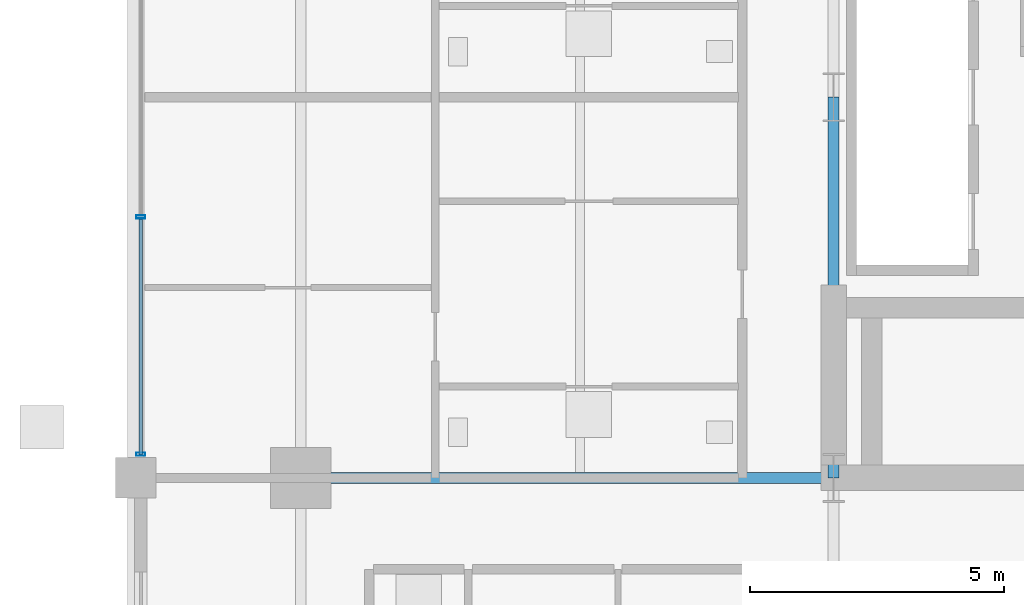
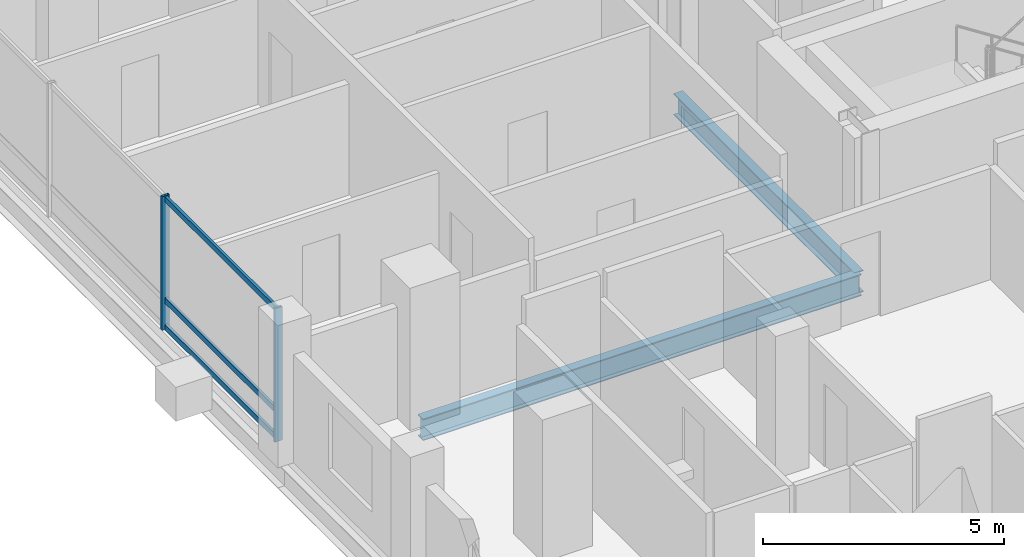
# One storey, part 4 of 20: 5 members, 2 beams, 1 element without a shape of its own.
"""IFC4 building model written with IfcOpenShell, lengths in metres."""

from ifc_helpers import new_model, si_unit, direction, frame, origin, origin_2d, place, context, subcontext, project, spatial, hollow_rectangle, i_section, extrude, material, layer, layer_set, material_profile, profile_set, type_object, element, aggregate, save


model = new_model("IFC4")

# Units and contexts
model_context = context("Model", 3, precision=1e-05, world=origin(), true_north=direction((0.0, 1.0)))
body_context = subcontext(model_context, "Body", "Model", "MODEL_VIEW")
ifc_project = project(units=[si_unit("LENGTHUNIT", "METRE"), si_unit("AREAUNIT", "SQUARE_METRE"), si_unit("VOLUMEUNIT", "CUBIC_METRE"), si_unit("PLANEANGLEUNIT", "RADIAN"), si_unit("MASSUNIT", "GRAM", prefix="KILO")], contexts=[model_context])

# Site, building, storey
site_placement = place(None, origin())
site = spatial("IfcSite", under=ifc_project, at=site_placement, CompositionType="ELEMENT")
building_placement = place(site_placement, origin())
building = spatial("IfcBuilding", under=site, at=building_placement, Name="Barlavira Tower and Art Museum", CompositionType="ELEMENT")
storey_placement = place(building_placement, frame((0.0, 0.0, 102.60009765625)))
storey = spatial("IfcBuildingStorey", under=building, at=storey_placement, Name="L25", CompositionType="ELEMENT", Elevation=102.60009765625)

# Curtain wall, members
ifc_material_1 = material(Name="Low-iron coastal laminated glass", Category="glass")
ifc_layer = layer(ifc_material_1, 0.18994140625, Name="Low-iron coastal laminated glass")
ifc_layer_set = layer_set([ifc_layer], Name="Low-iron coastal laminated glass")
curtain_wall_type = type_object("IfcCurtainWallType", Name="Pale-Metal Unitised Curtain Wall Zone 2", PredefinedType="NOTDEFINED", material=ifc_layer_set)
curtain_wall_placement = place(storey_placement, origin())
curtain_wall = element("IfcCurtainWall", 1, at=curtain_wall_placement, inside=storey, type_object=curtain_wall_type, Name="L25 Curtain Wall CW2-L25-W-B3", PredefinedType="NOTDEFINED")
ifc_material_2 = material(Name="Pale anodised aluminium", Category="aluminium")
ifc_material_profile_1 = material_profile(ifc_material_2, hollow_rectangle(XDim=0.06494140625, YDim=0.179931640625, WallThickness=0.00390625, at=origin_2d()), Name="ALU-MULL 65x180x4")
ifc_profile_set_1 = profile_set([ifc_material_profile_1], Name="Pale anodised aluminium")
member_type_1 = type_object("IfcMemberType", Name="Curtain Wall Pale-Metal Mullion 65x180", PredefinedType="MULLION", material=ifc_profile_set_1)
member_1_placement = place(storey_placement, frame((-20.14990234375, -2.360107421875, 0.0), z_axis=(0.0, 0.0, 1.0), x_axis=(0.0, -1.0, 0.0)))
member_1 = element("IfcMember", 2, at=member_1_placement, type_object=member_type_1, Name="CW2-L25-W-B3 Mullion 2", PredefinedType="MULLION", context=body_context, shape_type="SweptSolid", body=[
    extrude(hollow_rectangle(XDim=0.06494140625, YDim=0.179931640625, WallThickness=0.00390625, at=origin_2d()), origin(), (0.0, 0.0, 1.0), 3.3798828125),
])
member_2_placement = place(storey_placement, frame((-20.14990234375, -7.034912109375, 0.0), z_axis=(0.0, 0.0, 1.0), x_axis=(0.0, -1.0, 0.0)))
member_2 = element("IfcMember", 3, at=member_2_placement, type_object=member_type_1, Name="CW2-L25-W-B3 Mullion 3", PredefinedType="MULLION", context=body_context, shape_type="SweptSolid", body=[
    extrude(hollow_rectangle(XDim=0.06494140625, YDim=0.179931640625, WallThickness=0.00390625, at=origin_2d()), origin(), (0.0, 0.0, 1.0), 3.3798828125),
])
ifc_material_profile_2 = material_profile(ifc_material_2, hollow_rectangle(XDim=0.06494140625, YDim=0.139892578125, WallThickness=0.00390625, at=origin_2d()), Name="ALU-TRAN 65x140x4")
ifc_profile_set_2 = profile_set([ifc_material_profile_2], Name="Pale anodised aluminium")
member_type_2 = type_object("IfcMemberType", Name="Curtain Wall Pale-Metal Transom 65x140", PredefinedType="USERDEFINED", material=ifc_profile_set_2)
member_3_placement = place(storey_placement, frame((-20.14990234375, -2.405029296875, 0.06982421875), z_axis=(0.0, -1.0, 0.0), x_axis=(1.0, 0.0, 0.0)))
member_3 = element("IfcMember", 4, at=member_3_placement, type_object=member_type_2, Name="CW2-L25-W-B3 Transom 2.1", ObjectType="TRANSOM", PredefinedType="USERDEFINED", context=body_context, shape_type="SweptSolid", body=[
    extrude(hollow_rectangle(XDim=0.06494140625, YDim=0.139892578125, WallThickness=0.00390625, at=origin_2d()), origin(), (0.0, 0.0, 1.0), 4.6298828125),
])
member_4_placement = place(storey_placement, frame((-20.14990234375, -2.405029296875, 0.743896484375), z_axis=(0.0, -1.0, 0.0), x_axis=(1.0, 0.0, 0.0)))
member_4 = element("IfcMember", 5, at=member_4_placement, type_object=member_type_2, Name="CW2-L25-W-B3 Transom 2.2", ObjectType="TRANSOM", PredefinedType="USERDEFINED", context=body_context, shape_type="SweptSolid", body=[
    extrude(hollow_rectangle(XDim=0.06494140625, YDim=0.139892578125, WallThickness=0.00390625, at=origin_2d()), origin(), (0.0, 0.0, 1.0), 4.6298828125),
])
member_5_placement = place(storey_placement, frame((-20.14990234375, -2.405029296875, 3.309814453125), z_axis=(0.0, -1.0, 0.0), x_axis=(1.0, 0.0, 0.0)))
member_5 = element("IfcMember", 6, at=member_5_placement, type_object=member_type_2, Name="CW2-L25-W-B3 Transom 2.3", ObjectType="TRANSOM", PredefinedType="USERDEFINED", context=body_context, shape_type="SweptSolid", body=[
    extrude(hollow_rectangle(XDim=0.06494140625, YDim=0.139892578125, WallThickness=0.00390625, at=origin_2d()), origin(), (0.0, 0.0, 1.0), 4.6298828125),
])
aggregate(curtain_wall, [member_1, member_2, member_3, member_4, member_5])

# Beams
ifc_material_3 = material(Name="Steel S355", Category="steel")
ifc_material_profile_3 = material_profile(ifc_material_3, i_section(OverallWidth=0.214111328125, OverallDepth=0.549072265625, WebThickness=0.0146484375, FlangeThickness=0.023681640625, at=origin_2d()), Name="W530x138.0")
ifc_profile_set_3 = profile_set([ifc_material_profile_3], Name="Steel S355")
beam_type = type_object("IfcBeamType", Name="Zone 1 Primary Floor Girder W530x138 Steel S355", PredefinedType="BEAM", material=ifc_profile_set_3)
beam_1_placement = place(storey_placement, frame((-6.5, -7.5, -0.49462890625), z_axis=(0.0, 1.0, 0.0), x_axis=(-1.0, 0.0, 0.0)))
element("IfcBeam", 7, at=beam_1_placement, inside=storey, type_object=beam_type, Name="L25 Girder C-W1", PredefinedType="BEAM", context=body_context, shape_type="SweptSolid", body=[
    extrude(i_section(OverallWidth=0.214111328125, OverallDepth=0.549072265625, WebThickness=0.0146484375, FlangeThickness=0.023681640625, at=origin_2d()), origin(), (0.0, 0.0, 1.0), 7.5),
])
beam_2_placement = place(storey_placement, frame((-17.0, -7.5, -0.49462890625), z_axis=(1.0, 0.0, 0.0), x_axis=(0.0, 1.0, 0.0)))
element("IfcBeam", 8, at=beam_2_placement, inside=storey, type_object=beam_type, Name="L25 Girder R-W1", PredefinedType="BEAM", context=body_context, shape_type="SweptSolid", body=[
    extrude(i_section(OverallWidth=0.214111328125, OverallDepth=0.549072265625, WebThickness=0.0146484375, FlangeThickness=0.023681640625, at=origin_2d()), origin(), (0.0, 0.0, 1.0), 10.5),
])

save(model, "model.ifc")
